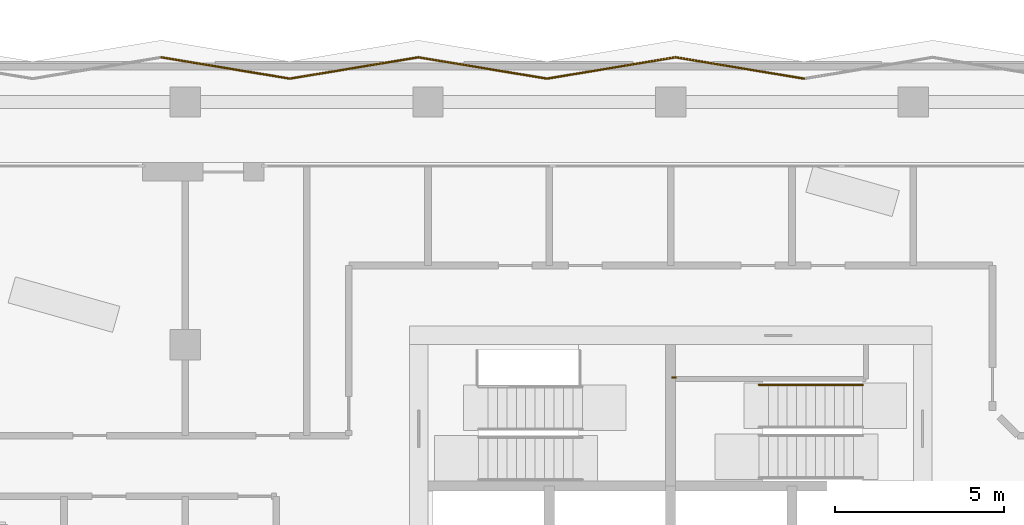
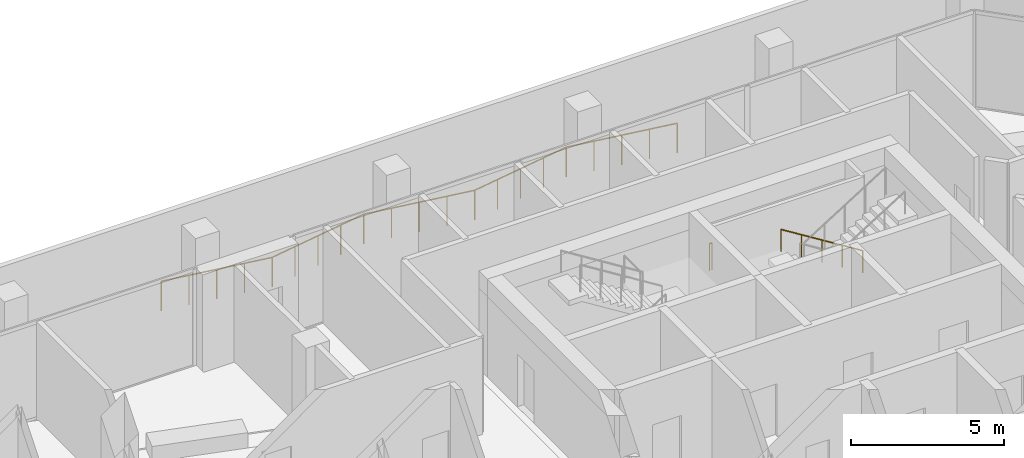
# One storey, part 17 of 19: 7 railings.
"""IFC4 building model written with IfcOpenShell, lengths in metres."""

from ifc_helpers import new_model, si_unit, direction, frame, origin, origin_2d, place, context, subcontext, project, spatial, circle, extrude, material, type_object, element, save


model = new_model("IFC4")

# Units and contexts
model_context = context("Model", 3, precision=1e-05, world=origin(), true_north=direction((0.0, 1.0)))
body_context = subcontext(model_context, "Body", "Model", "MODEL_VIEW")
ifc_project = project(units=[si_unit("LENGTHUNIT", "METRE"), si_unit("AREAUNIT", "SQUARE_METRE"), si_unit("VOLUMEUNIT", "CUBIC_METRE"), si_unit("PLANEANGLEUNIT", "RADIAN"), si_unit("MASSUNIT", "GRAM", prefix="KILO")], contexts=[model_context])

# Site, building, storey
site_placement = place(None, origin())
site = spatial("IfcSite", under=ifc_project, at=site_placement, CompositionType="ELEMENT")
building_placement = place(site_placement, origin())
building = spatial("IfcBuilding", under=site, at=building_placement, Name="Windrow Commons", CompositionType="ELEMENT")
storey_placement = place(building_placement, frame((0.0, 0.0, 176.2)))
storey = spatial("IfcBuildingStorey", under=building, at=storey_placement, Name="L48", CompositionType="ELEMENT", Elevation=176.2)

# Railings
ifc_material_1 = material(Name="Steel S355", Category="steel")
railing_type_1 = type_object("IfcRailingType", Name="Core stair guard 1100", PredefinedType="GUARDRAIL", material=ifc_material_1)
railing_1_placement = place(storey_placement, frame((64.95, 63.825, 2.1)))
element("IfcRailing", 1, at=railing_1_placement, inside=storey, type_object=railing_type_1, Name="L48 ST-A2 stair guard 3", PredefinedType="GUARDRAIL", context=body_context, shape_type="SweptSolid", body=[
    extrude(circle(Radius=0.024, at=origin_2d()), frame((0.0, 0.0, 1.076), z_axis=(-1.0, 0.0, 0.0), x_axis=(0.0, -1.0, 0.0)), (0.0, 0.0, 1.0), 0.1),
    extrude(circle(Radius=0.021, at=origin_2d()), origin(), (0.0, 0.0, 1.0), 1.052),
    extrude(circle(Radius=0.021, at=origin_2d()), frame((-0.1, 0.0, 0.0)), (0.0, 0.0, 1.0), 1.052),
])
ifc_material_2 = material(Name="Steel S355", Category="steel")
railing_type_2 = type_object("IfcRailingType", Name="Core stair handrail 900", PredefinedType="HANDRAIL", material=ifc_material_2)
railing_2_placement = place(storey_placement, frame((70.5, 63.605, 0.175)))
element("IfcRailing", 2, at=railing_2_placement, inside=storey, type_object=railing_type_2, Name="L48 ST-A2 stair handrail 1", PredefinedType="HANDRAIL", context=body_context, shape_type="SweptSolid", body=[
    extrude(circle(Radius=0.024, at=origin_2d()), frame((0.0, 0.0, 0.876), z_axis=(-0.847998304, 0.0, 0.52999894), x_axis=(0.0, -1.0, 0.0)), (0.0, 0.0, 1.0), 3.6321),
    extrude(circle(Radius=0.021, at=origin_2d()), origin(), (0.0, 0.0, 1.0), 0.852),
    extrude(circle(Radius=0.021, at=origin_2d()), frame((-0.77, 0.0, 0.4813)), (0.0, 0.0, 1.0), 0.852),
    extrude(circle(Radius=0.021, at=origin_2d()), frame((-1.54, 0.0, 0.9625)), (0.0, 0.0, 1.0), 0.852),
    extrude(circle(Radius=0.021, at=origin_2d()), frame((-2.31, 0.0, 1.4438)), (0.0, 0.0, 1.0), 0.852),
    extrude(circle(Radius=0.021, at=origin_2d()), frame((-3.08, 0.0, 1.925)), (0.0, 0.0, 1.0), 0.852),
])
ifc_material_3 = material(Name="Stainless steel S316 balustrade with toughened glass infill", Category="steel")
railing_type_3 = type_object("IfcRailingType", Name="Terrace guard 1200 podium", PredefinedType="BALUSTRADE", material=ifc_material_3)
railing_3_placement = place(storey_placement, frame((49.6853, 73.3262, 0.05)))
element("IfcRailing", 3, at=railing_3_placement, inside=storey, type_object=railing_type_3, Name="Guard TR-L48-1.E21", PredefinedType="BALUSTRADE", context=body_context, shape_type="SweptSolid", body=[
    extrude(circle(Radius=0.025, at=origin_2d()), frame((0.0, 0.0, 1.175), z_axis=(0.9865110911, -0.1636944324, 0.0), x_axis=(0.1636944324, 0.9865110911, 0.0)), (0.0, 0.0, 1.0), 3.867),
    extrude(circle(Radius=0.02, at=origin_2d()), origin(), (0.0, 0.0, 1.0), 1.15),
    extrude(circle(Radius=0.02, at=origin_2d()), frame((0.9537, -0.1582, 0.0)), (0.0, 0.0, 1.0), 1.15),
    extrude(circle(Radius=0.02, at=origin_2d()), frame((1.9074, -0.3165, 0.0)), (0.0, 0.0, 1.0), 1.15),
    extrude(circle(Radius=0.02, at=origin_2d()), frame((2.8611, -0.4747, 0.0)), (0.0, 0.0, 1.0), 1.15),
    extrude(circle(Radius=0.02, at=origin_2d()), frame((3.8148, -0.633, 0.0)), (0.0, 0.0, 1.0), 1.15),
])
railing_4_placement = place(storey_placement, frame((53.5001, 72.6932, 0.05)))
element("IfcRailing", 4, at=railing_4_placement, inside=storey, type_object=railing_type_3, Name="Guard TR-L48-1.E22", PredefinedType="BALUSTRADE", context=body_context, shape_type="SweptSolid", body=[
    extrude(circle(Radius=0.025, at=origin_2d()), frame((0.0, 0.0, 1.175), z_axis=(0.9865110911, 0.1636944324, 0.0), x_axis=(-0.1636944324, 0.9865110911, 0.0)), (0.0, 0.0, 1.0), 3.867),
    extrude(circle(Radius=0.02, at=origin_2d()), origin(), (0.0, 0.0, 1.0), 1.15),
    extrude(circle(Radius=0.02, at=origin_2d()), frame((0.9537, 0.1582, 0.0)), (0.0, 0.0, 1.0), 1.15),
    extrude(circle(Radius=0.02, at=origin_2d()), frame((1.9074, 0.3165, 0.0)), (0.0, 0.0, 1.0), 1.15),
    extrude(circle(Radius=0.02, at=origin_2d()), frame((2.8611, 0.4747, 0.0)), (0.0, 0.0, 1.0), 1.15),
    extrude(circle(Radius=0.02, at=origin_2d()), frame((3.8148, 0.633, 0.0)), (0.0, 0.0, 1.0), 1.15),
])
railing_5_placement = place(storey_placement, frame((57.3149, 73.3262, 0.05)))
element("IfcRailing", 5, at=railing_5_placement, inside=storey, type_object=railing_type_3, Name="Guard TR-L48-1.E23", PredefinedType="BALUSTRADE", context=body_context, shape_type="SweptSolid", body=[
    extrude(circle(Radius=0.025, at=origin_2d()), frame((0.0, 0.0, 1.175), z_axis=(0.9865110911, -0.1636944324, 0.0), x_axis=(0.1636944324, 0.9865110911, 0.0)), (0.0, 0.0, 1.0), 3.867),
    extrude(circle(Radius=0.02, at=origin_2d()), origin(), (0.0, 0.0, 1.0), 1.15),
    extrude(circle(Radius=0.02, at=origin_2d()), frame((0.9537, -0.1582, 0.0)), (0.0, 0.0, 1.0), 1.15),
    extrude(circle(Radius=0.02, at=origin_2d()), frame((1.9074, -0.3165, 0.0)), (0.0, 0.0, 1.0), 1.15),
    extrude(circle(Radius=0.02, at=origin_2d()), frame((2.8611, -0.4747, 0.0)), (0.0, 0.0, 1.0), 1.15),
    extrude(circle(Radius=0.02, at=origin_2d()), frame((3.8148, -0.633, 0.0)), (0.0, 0.0, 1.0), 1.15),
])
railing_6_placement = place(storey_placement, frame((61.1297, 72.6932, 0.05)))
element("IfcRailing", 6, at=railing_6_placement, inside=storey, type_object=railing_type_3, Name="Guard TR-L48-1.E24", PredefinedType="BALUSTRADE", context=body_context, shape_type="SweptSolid", body=[
    extrude(circle(Radius=0.025, at=origin_2d()), frame((0.0, 0.0, 1.175), z_axis=(0.9865103981, 0.1636986085, 0.0), x_axis=(-0.1636986085, 0.9865103981, 0.0)), (0.0, 0.0, 1.0), 3.8669),
    extrude(circle(Radius=0.02, at=origin_2d()), origin(), (0.0, 0.0, 1.0), 1.15),
    extrude(circle(Radius=0.02, at=origin_2d()), frame((0.9537, 0.1582, 0.0)), (0.0, 0.0, 1.0), 1.15),
    extrude(circle(Radius=0.02, at=origin_2d()), frame((1.9074, 0.3165, 0.0)), (0.0, 0.0, 1.0), 1.15),
    extrude(circle(Radius=0.02, at=origin_2d()), frame((2.861, 0.4747, 0.0)), (0.0, 0.0, 1.0), 1.15),
    extrude(circle(Radius=0.02, at=origin_2d()), frame((3.8147, 0.633, 0.0)), (0.0, 0.0, 1.0), 1.15),
])
railing_7_placement = place(storey_placement, frame((64.9444, 73.3262, 0.05)))
element("IfcRailing", 7, at=railing_7_placement, inside=storey, type_object=railing_type_3, Name="Guard TR-L48-1.E25", PredefinedType="BALUSTRADE", context=body_context, shape_type="SweptSolid", body=[
    extrude(circle(Radius=0.025, at=origin_2d()), frame((0.0, 0.0, 1.175), z_axis=(0.9865110911, -0.1636944324, 0.0), x_axis=(0.1636944324, 0.9865110911, 0.0)), (0.0, 0.0, 1.0), 3.867),
    extrude(circle(Radius=0.02, at=origin_2d()), origin(), (0.0, 0.0, 1.0), 1.15),
    extrude(circle(Radius=0.02, at=origin_2d()), frame((0.9537, -0.1582, 0.0)), (0.0, 0.0, 1.0), 1.15),
    extrude(circle(Radius=0.02, at=origin_2d()), frame((1.9074, -0.3165, 0.0)), (0.0, 0.0, 1.0), 1.15),
    extrude(circle(Radius=0.02, at=origin_2d()), frame((2.8611, -0.4747, 0.0)), (0.0, 0.0, 1.0), 1.15),
    extrude(circle(Radius=0.02, at=origin_2d()), frame((3.8148, -0.633, 0.0)), (0.0, 0.0, 1.0), 1.15),
])

save(model, "model.ifc")
